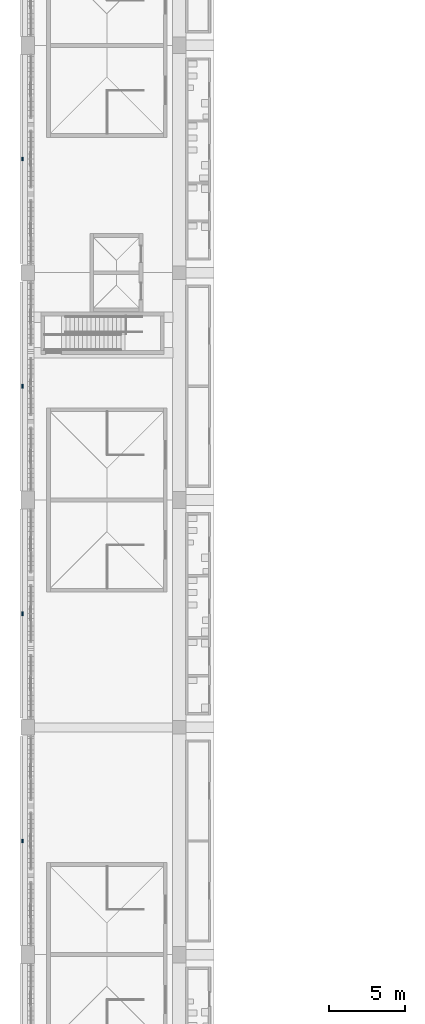
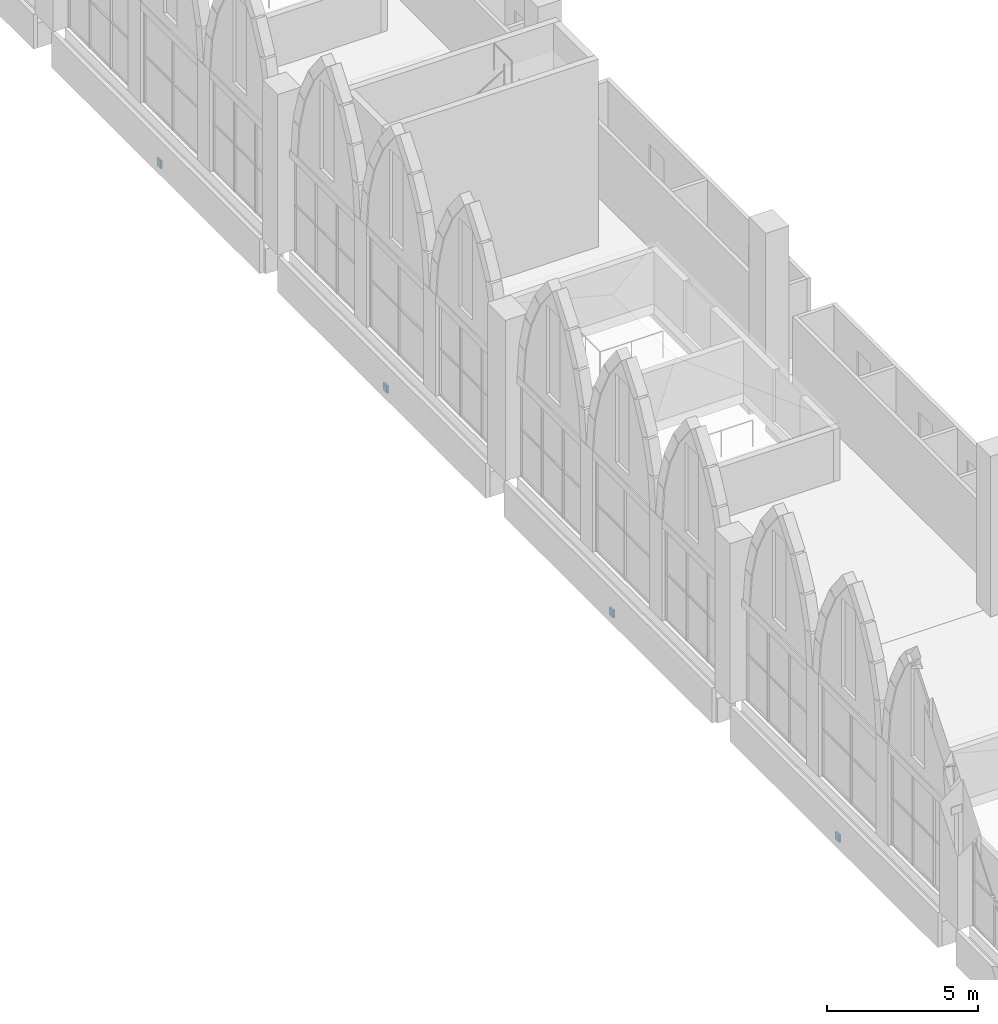
# One storey, part 92 of 130: 4 discrete accessories.
"""IFC4 building model written with IfcOpenShell, lengths in metres."""

from ifc_helpers import new_model, si_unit, direction, frame, origin, origin_2d, place, context, subcontext, project, spatial, rectangle, extrude, material, layer, layer_set, type_object, element, save


model = new_model("IFC4")

# Units and contexts
model_context = context("Model", 3, precision=1e-05, world=origin(), true_north=direction((0.0, 1.0)))
body_context = subcontext(model_context, "Body", "Model", "MODEL_VIEW")
ifc_project = project(units=[si_unit("LENGTHUNIT", "METRE"), si_unit("AREAUNIT", "SQUARE_METRE"), si_unit("VOLUMEUNIT", "CUBIC_METRE"), si_unit("PLANEANGLEUNIT", "RADIAN"), si_unit("MASSUNIT", "GRAM", prefix="KILO")], contexts=[model_context])

# Site, building, storey
site_placement = place(None, origin())
site = spatial("IfcSite", under=ifc_project, at=site_placement, CompositionType="ELEMENT")
building_placement = place(site_placement, origin())
building = spatial("IfcBuilding", under=site, at=building_placement, Name="Ogive Plaza Stadium", CompositionType="ELEMENT")
storey_placement = place(building_placement, frame((0.0, 0.0, 22.5)))
storey = spatial("IfcBuildingStorey", under=building, at=storey_placement, Name="L05", CompositionType="ELEMENT", Elevation=22.5)

# Discrete accessories
ifc_material = material(Name="Steel ASTM A572 Grade 50", Category="steel")
ifc_layer = layer(ifc_material, 0.080078125)
ifc_layer_set = layer_set([ifc_layer], Name="Steel ASTM A572 Grade 50")
discrete_accessory_type = type_object("IfcDiscreteAccessoryType", Name="Spandrel cladding bracket 250x300", PredefinedType="BRACKET", material=ifc_layer_set)
for number, where, z_axis, x_axis, name in (
    (1, (-84.35009765625, -30.0, -1.31005859375), (0.0, 0.0, 1.0), (0.0, 1.0, 0.0), "SPANDREL BRACKET B22 L05"),
    (2, (-84.35009765625, -15.0, -1.31005859375), (0.0, 0.0, 1.0), (0.0, 1.0, 0.0), "SPANDREL BRACKET B23 L05"),
    (3, (-84.35009765625, 0.0, -1.31005859375), (0.0, 0.0, 1.0), (0.0, 1.0, 0.0), "SPANDREL BRACKET B24 L05"),
    (4, (-84.35009765625, 15.0, -1.31005859375), (0.0, 0.0, 1.0), (0.0, 1.0, 0.0), "SPANDREL BRACKET B25 L05"),
):
    element("IfcDiscreteAccessory", number, at=place(storey_placement, frame(where, z_axis=z_axis, x_axis=x_axis)), inside=storey, type_object=discrete_accessory_type, Name=name, PredefinedType="BRACKET", context=body_context, shape_type="SweptSolid", body=[
        extrude(rectangle(XDim=0.25, YDim=0.080078125, at=origin_2d()), origin(), (0.0, 0.0, 1.0), 0.300048828125),
    ])

save(model, "model.ifc")
